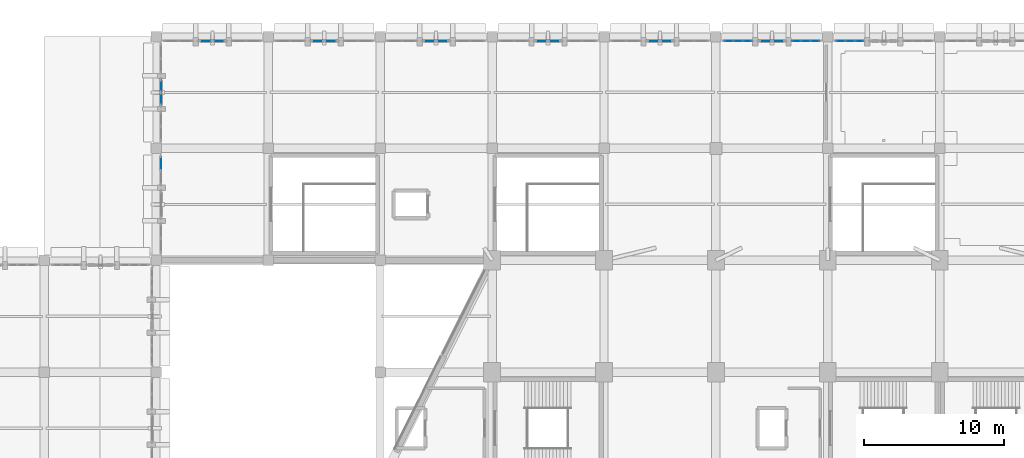
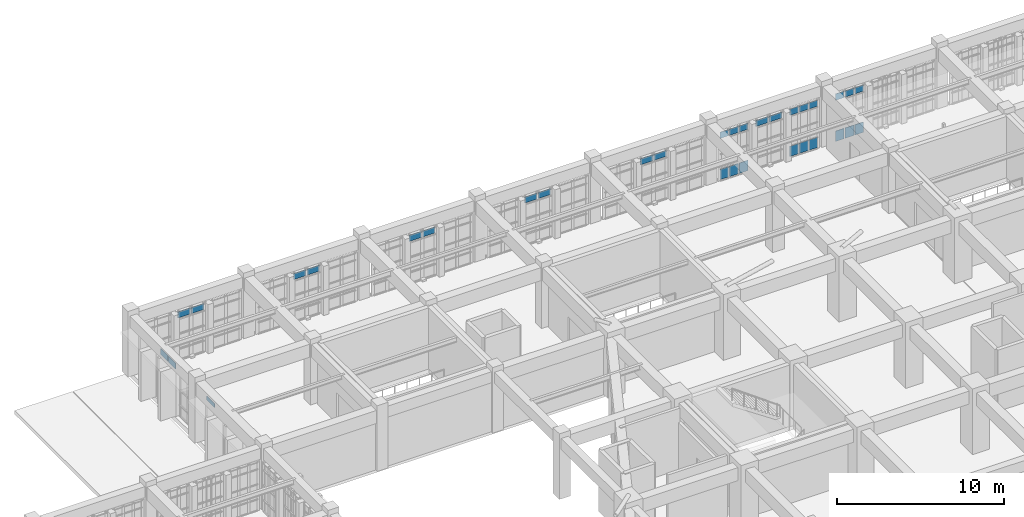
# One storey, part 126 of 155: 33 plates, 11 elements without a shape of their own.
"""IFC4 building model written with IfcOpenShell, lengths in metres."""

from ifc_helpers import new_model, si_unit, direction, frame, origin, origin_2d, place, context, subcontext, project, spatial, rectangle, extrude, material, layer, layer_set, type_object, element, aggregate, save


model = new_model("IFC4")

# Units and contexts
model_context = context("Model", 3, precision=1e-05, world=origin(), true_north=direction((0.0, 1.0)))
body_context = subcontext(model_context, "Body", "Model", "MODEL_VIEW")
ifc_project = project(units=[si_unit("LENGTHUNIT", "METRE"), si_unit("AREAUNIT", "SQUARE_METRE"), si_unit("VOLUMEUNIT", "CUBIC_METRE"), si_unit("PLANEANGLEUNIT", "RADIAN"), si_unit("MASSUNIT", "GRAM", prefix="KILO")], contexts=[model_context])

# Site, building, storey
site_placement = place(None, origin())
site = spatial("IfcSite", under=ifc_project, at=site_placement, CompositionType="ELEMENT")
building_placement = place(site_placement, origin())
building = spatial("IfcBuilding", under=site, at=building_placement, Name="Tazarka Park Arena", CompositionType="ELEMENT")
storey_placement = place(building_placement, frame((0.0, 0.0, 5.39990234375)))
storey = spatial("IfcBuildingStorey", under=building, at=storey_placement, Name="L01", CompositionType="ELEMENT", Elevation=5.39990234375)

# Curtain wall, plates
ifc_material_1 = material(Name="Aluminium and low-e glass", Category="aluminium")
ifc_layer_1 = layer(ifc_material_1, 0.179931640625, Name="Aluminium and low-e glass")
ifc_layer_set_1 = layer_set([ifc_layer_1], Name="Aluminium and low-e glass")
curtain_wall_type_1 = type_object("IfcCurtainWallType", Name="CW-09", PredefinedType="NOTDEFINED", material=ifc_layer_set_1)
curtain_wall_1_placement = place(storey_placement, origin())
curtain_wall_1 = element("IfcCurtainWall", 1, at=curtain_wall_1_placement, inside=storey, type_object=curtain_wall_type_1, Name="Curtain Wall CWA-L01-039", PredefinedType="NOTDEFINED")
ifc_material_2 = material(Name="Double low-e insulated glazing", Category="glass")
ifc_layer_2 = layer(ifc_material_2, 0.028076171875, Name="Double low-e insulated glazing")
ifc_layer_set_2 = layer_set([ifc_layer_2], Name="Double low-e insulated glazing")
plate_type_1 = type_object("IfcPlateType", Name="CWP-01", PredefinedType="CURTAIN_PANEL", material=ifc_layer_set_2)
plate_1_placement = place(storey_placement, frame((85.750244140625, 127.679931640625, 0.065185546875), z_axis=(0.0, 0.0, 1.0), x_axis=(1.0, 0.0, 0.0)))
plate_1 = element("IfcPlate", 2, at=plate_1_placement, type_object=plate_type_1, Name="CW-09 panel 1.1", PredefinedType="CURTAIN_PANEL", context=body_context, shape_type="SweptSolid", body=[
    extrude(rectangle(XDim=0.5869140625, YDim=0.028076171875, at=origin_2d()), origin(), (0.0, 0.0, 1.0), 0.75244140625),
])
plate_2_placement = place(storey_placement, frame((85.750244140625, 127.679931640625, 3.08251953125), z_axis=(0.0, 0.0, 1.0), x_axis=(1.0, 0.0, 0.0)))
plate_2 = element("IfcPlate", 3, at=plate_2_placement, type_object=plate_type_1, Name="CW-09 panel 1.4", PredefinedType="CURTAIN_PANEL", context=body_context, shape_type="SweptSolid", body=[
    extrude(rectangle(XDim=0.5869140625, YDim=0.028076171875, at=origin_2d()), origin(), (0.0, 0.0, 1.0), 0.452392578125),
])
plate_3_placement = place(storey_placement, frame((86.41845703125, 127.679931640625, 0.065185546875), z_axis=(0.0, 0.0, 1.0), x_axis=(1.0, 0.0, 0.0)))
plate_3 = element("IfcPlate", 4, at=plate_3_placement, type_object=plate_type_1, Name="CW-09 panel 2.1", PredefinedType="CURTAIN_PANEL", context=body_context, shape_type="SweptSolid", body=[
    extrude(rectangle(XDim=0.619384765625, YDim=0.028076171875, at=origin_2d()), origin(), (0.0, 0.0, 1.0), 0.75244140625),
])
plate_4_placement = place(storey_placement, frame((86.41845703125, 127.679931640625, 3.08251953125), z_axis=(0.0, 0.0, 1.0), x_axis=(1.0, 0.0, 0.0)))
plate_4 = element("IfcPlate", 5, at=plate_4_placement, type_object=plate_type_1, Name="CW-09 panel 2.4", PredefinedType="CURTAIN_PANEL", context=body_context, shape_type="SweptSolid", body=[
    extrude(rectangle(XDim=0.619384765625, YDim=0.028076171875, at=origin_2d()), origin(), (0.0, 0.0, 1.0), 0.452392578125),
])
plate_5_placement = place(storey_placement, frame((87.08642578125, 127.679931640625, 0.065185546875), z_axis=(0.0, 0.0, 1.0), x_axis=(1.0, 0.0, 0.0)))
plate_5 = element("IfcPlate", 6, at=plate_5_placement, type_object=plate_type_1, Name="CW-09 panel 3.1", PredefinedType="CURTAIN_PANEL", context=body_context, shape_type="SweptSolid", body=[
    extrude(rectangle(XDim=0.5869140625, YDim=0.028076171875, at=origin_2d()), origin(), (0.0, 0.0, 1.0), 0.75244140625),
])
plate_6_placement = place(storey_placement, frame((87.08642578125, 127.679931640625, 3.08251953125), z_axis=(0.0, 0.0, 1.0), x_axis=(1.0, 0.0, 0.0)))
plate_6 = element("IfcPlate", 7, at=plate_6_placement, type_object=plate_type_1, Name="CW-09 panel 3.4", PredefinedType="CURTAIN_PANEL", context=body_context, shape_type="SweptSolid", body=[
    extrude(rectangle(XDim=0.5869140625, YDim=0.028076171875, at=origin_2d()), origin(), (0.0, 0.0, 1.0), 0.452392578125),
])
aggregate(curtain_wall_1, [plate_1, plate_2, plate_3, plate_4, plate_5, plate_6])

# Curtain wall, plate
ifc_material_3 = material(Name="Aluminium and low-e glass", Category="aluminium")
ifc_layer_3 = layer(ifc_material_3, 0.179931640625, Name="Aluminium and low-e glass")
ifc_layer_set_3 = layer_set([ifc_layer_3], Name="Aluminium and low-e glass")
curtain_wall_type_2 = type_object("IfcCurtainWallType", Name="CW-30", PredefinedType="NOTDEFINED", material=ifc_layer_set_3)
curtain_wall_2_placement = place(storey_placement, origin())
curtain_wall_2 = element("IfcCurtainWall", 8, at=curtain_wall_2_placement, inside=storey, type_object=curtain_wall_type_2, Name="Curtain Wall CWA-L01-060", PredefinedType="NOTDEFINED")
plate_7_placement = place(storey_placement, frame((40.320068359375, 118.91552734375, 3.08251953125), z_axis=(0.0, 0.0, 1.0), x_axis=(0.0, 1.0, 0.0)))
plate_7 = element("IfcPlate", 9, at=plate_7_placement, type_object=plate_type_1, Name="CW-30 panel 2.4", PredefinedType="CURTAIN_PANEL", context=body_context, shape_type="SweptSolid", body=[
    extrude(rectangle(XDim=0.92919921875, YDim=0.028076171875, at=origin_2d()), origin(), (0.0, 0.0, 1.0), 0.302490234375),
])
aggregate(curtain_wall_2, [plate_7])

# Curtain wall, plates
ifc_material_4 = material(Name="Aluminium and low-e glass", Category="aluminium")
ifc_layer_4 = layer(ifc_material_4, 0.179931640625, Name="Aluminium and low-e glass")
ifc_layer_set_4 = layer_set([ifc_layer_4], Name="Aluminium and low-e glass")
curtain_wall_type_3 = type_object("IfcCurtainWallType", Name="CW-04", PredefinedType="NOTDEFINED", material=ifc_layer_set_4)
curtain_wall_3_placement = place(storey_placement, origin())
curtain_wall_3 = element("IfcCurtainWall", 10, at=curtain_wall_3_placement, inside=storey, type_object=curtain_wall_type_3, Name="Curtain Wall CWA-L01-034", PredefinedType="NOTDEFINED")
ifc_material_5 = material(Name="Triple acoustic solar glazing", Category="glass")
ifc_layer_5 = layer(ifc_material_5, 0.031982421875, Name="Triple acoustic solar glazing")
ifc_layer_set_5 = layer_set([ifc_layer_5], Name="Triple acoustic solar glazing")
plate_type_2 = type_object("IfcPlateType", Name="CWP-02", PredefinedType="CURTAIN_PANEL", material=ifc_layer_set_5)
plate_8_placement = place(storey_placement, frame((88.91357421875, 127.679931640625, 0.065185546875), z_axis=(0.0, 0.0, 1.0), x_axis=(1.0, 0.0, 0.0)))
plate_8 = element("IfcPlate", 11, at=plate_8_placement, type_object=plate_type_2, Name="CW-04 panel 1.1", PredefinedType="CURTAIN_PANEL", context=body_context, shape_type="SweptSolid", body=[
    extrude(rectangle(XDim=0.5869140625, YDim=0.031982421875, at=origin_2d()), origin(), (0.0, 0.0, 1.0), 0.75244140625),
])
plate_9_placement = place(storey_placement, frame((88.91357421875, 127.679931640625, 3.08251953125), z_axis=(0.0, 0.0, 1.0), x_axis=(1.0, 0.0, 0.0)))
plate_9 = element("IfcPlate", 12, at=plate_9_placement, type_object=plate_type_2, Name="CW-04 panel 1.4", PredefinedType="CURTAIN_PANEL", context=body_context, shape_type="SweptSolid", body=[
    extrude(rectangle(XDim=0.5869140625, YDim=0.031982421875, at=origin_2d()), origin(), (0.0, 0.0, 1.0), 0.452392578125),
])
plate_10_placement = place(storey_placement, frame((89.58154296875, 127.679931640625, 0.065185546875), z_axis=(0.0, 0.0, 1.0), x_axis=(1.0, 0.0, 0.0)))
plate_10 = element("IfcPlate", 13, at=plate_10_placement, type_object=plate_type_2, Name="CW-04 panel 2.1", PredefinedType="CURTAIN_PANEL", context=body_context, shape_type="SweptSolid", body=[
    extrude(rectangle(XDim=0.619384765625, YDim=0.031982421875, at=origin_2d()), origin(), (0.0, 0.0, 1.0), 0.75244140625),
])
plate_11_placement = place(storey_placement, frame((89.58154296875, 127.679931640625, 3.08251953125), z_axis=(0.0, 0.0, 1.0), x_axis=(1.0, 0.0, 0.0)))
plate_11 = element("IfcPlate", 14, at=plate_11_placement, type_object=plate_type_2, Name="CW-04 panel 2.4", PredefinedType="CURTAIN_PANEL", context=body_context, shape_type="SweptSolid", body=[
    extrude(rectangle(XDim=0.619384765625, YDim=0.031982421875, at=origin_2d()), origin(), (0.0, 0.0, 1.0), 0.452392578125),
])
plate_12_placement = place(storey_placement, frame((90.249755859375, 127.679931640625, 0.065185546875), z_axis=(0.0, 0.0, 1.0), x_axis=(1.0, 0.0, 0.0)))
plate_12 = element("IfcPlate", 15, at=plate_12_placement, type_object=plate_type_2, Name="CW-04 panel 3.1", PredefinedType="CURTAIN_PANEL", context=body_context, shape_type="SweptSolid", body=[
    extrude(rectangle(XDim=0.5869140625, YDim=0.031982421875, at=origin_2d()), origin(), (0.0, 0.0, 1.0), 0.75244140625),
])
plate_13_placement = place(storey_placement, frame((90.249755859375, 127.679931640625, 3.08251953125), z_axis=(0.0, 0.0, 1.0), x_axis=(1.0, 0.0, 0.0)))
plate_13 = element("IfcPlate", 16, at=plate_13_placement, type_object=plate_type_2, Name="CW-04 panel 3.4", PredefinedType="CURTAIN_PANEL", context=body_context, shape_type="SweptSolid", body=[
    extrude(rectangle(XDim=0.5869140625, YDim=0.031982421875, at=origin_2d()), origin(), (0.0, 0.0, 1.0), 0.452392578125),
])
aggregate(curtain_wall_3, [plate_8, plate_9, plate_10, plate_11, plate_12, plate_13])

ifc_material_6 = material(Name="Aluminium and low-e glass", Category="aluminium")
ifc_layer_6 = layer(ifc_material_6, 0.179931640625, Name="Aluminium and low-e glass")
ifc_layer_set_6 = layer_set([ifc_layer_6], Name="Aluminium and low-e glass")
curtain_wall_type_4 = type_object("IfcCurtainWallType", Name="CW-07", PredefinedType="NOTDEFINED", material=ifc_layer_set_6)
curtain_wall_4_placement = place(storey_placement, origin())
curtain_wall_4 = element("IfcCurtainWall", 17, at=curtain_wall_4_placement, inside=storey, type_object=curtain_wall_type_4, Name="Curtain Wall CWA-L01-037", PredefinedType="NOTDEFINED")
plate_14_placement = place(storey_placement, frame((80.91357421875, 127.679931640625, 0.065185546875), z_axis=(0.0, 0.0, 1.0), x_axis=(1.0, 0.0, 0.0)))
plate_14 = element("IfcPlate", 18, at=plate_14_placement, type_object=plate_type_2, Name="CW-07 panel 1.1", PredefinedType="CURTAIN_PANEL", context=body_context, shape_type="SweptSolid", body=[
    extrude(rectangle(XDim=0.5869140625, YDim=0.031982421875, at=origin_2d()), origin(), (0.0, 0.0, 1.0), 0.75244140625),
])
plate_15_placement = place(storey_placement, frame((80.91357421875, 127.679931640625, 3.08251953125), z_axis=(0.0, 0.0, 1.0), x_axis=(1.0, 0.0, 0.0)))
plate_15 = element("IfcPlate", 19, at=plate_15_placement, type_object=plate_type_2, Name="CW-07 panel 1.4", PredefinedType="CURTAIN_PANEL", context=body_context, shape_type="SweptSolid", body=[
    extrude(rectangle(XDim=0.5869140625, YDim=0.031982421875, at=origin_2d()), origin(), (0.0, 0.0, 1.0), 0.452392578125),
])
plate_16_placement = place(storey_placement, frame((81.58154296875, 127.679931640625, 0.065185546875), z_axis=(0.0, 0.0, 1.0), x_axis=(1.0, 0.0, 0.0)))
plate_16 = element("IfcPlate", 20, at=plate_16_placement, type_object=plate_type_2, Name="CW-07 panel 2.1", PredefinedType="CURTAIN_PANEL", context=body_context, shape_type="SweptSolid", body=[
    extrude(rectangle(XDim=0.619384765625, YDim=0.031982421875, at=origin_2d()), origin(), (0.0, 0.0, 1.0), 0.75244140625),
])
plate_17_placement = place(storey_placement, frame((81.58154296875, 127.679931640625, 3.08251953125), z_axis=(0.0, 0.0, 1.0), x_axis=(1.0, 0.0, 0.0)))
plate_17 = element("IfcPlate", 21, at=plate_17_placement, type_object=plate_type_2, Name="CW-07 panel 2.4", PredefinedType="CURTAIN_PANEL", context=body_context, shape_type="SweptSolid", body=[
    extrude(rectangle(XDim=0.619384765625, YDim=0.031982421875, at=origin_2d()), origin(), (0.0, 0.0, 1.0), 0.452392578125),
])
plate_18_placement = place(storey_placement, frame((82.249755859375, 127.679931640625, 0.065185546875), z_axis=(0.0, 0.0, 1.0), x_axis=(1.0, 0.0, 0.0)))
plate_18 = element("IfcPlate", 22, at=plate_18_placement, type_object=plate_type_2, Name="CW-07 panel 3.1", PredefinedType="CURTAIN_PANEL", context=body_context, shape_type="SweptSolid", body=[
    extrude(rectangle(XDim=0.5869140625, YDim=0.031982421875, at=origin_2d()), origin(), (0.0, 0.0, 1.0), 0.75244140625),
])
plate_19_placement = place(storey_placement, frame((82.249755859375, 127.679931640625, 3.08251953125), z_axis=(0.0, 0.0, 1.0), x_axis=(1.0, 0.0, 0.0)))
plate_19 = element("IfcPlate", 23, at=plate_19_placement, type_object=plate_type_2, Name="CW-07 panel 3.4", PredefinedType="CURTAIN_PANEL", context=body_context, shape_type="SweptSolid", body=[
    extrude(rectangle(XDim=0.5869140625, YDim=0.031982421875, at=origin_2d()), origin(), (0.0, 0.0, 1.0), 0.452392578125),
])
aggregate(curtain_wall_4, [plate_14, plate_15, plate_16, plate_17, plate_18, plate_19])

ifc_material_7 = material(Name="Aluminium and low-e glass", Category="aluminium")
ifc_layer_7 = layer(ifc_material_7, 0.179931640625, Name="Aluminium and low-e glass")
ifc_layer_set_7 = layer_set([ifc_layer_7], Name="Aluminium and low-e glass")
curtain_wall_type_5 = type_object("IfcCurtainWallType", Name="CW-08", PredefinedType="NOTDEFINED", material=ifc_layer_set_7)
curtain_wall_5_placement = place(storey_placement, origin())
curtain_wall_5 = element("IfcCurtainWall", 24, at=curtain_wall_5_placement, inside=storey, type_object=curtain_wall_type_5, Name="Curtain Wall CWA-L01-038", PredefinedType="NOTDEFINED")
ifc_material_8 = material(Name="Insulated aluminium spandrel panel", Category="aluminium")
ifc_layer_8 = layer(ifc_material_8, 0.035888671875, Name="Insulated aluminium spandrel panel")
ifc_layer_set_8 = layer_set([ifc_layer_8], Name="Insulated aluminium spandrel panel")
plate_type_3 = type_object("IfcPlateType", Name="CWP-03", PredefinedType="CURTAIN_PANEL", material=ifc_layer_set_8)
plate_20_placement = place(storey_placement, frame((83.532958984375, 127.679931640625, 3.087646484375), z_axis=(0.0, 0.0, 1.0), x_axis=(1.0, 0.0, 0.0)))
plate_20 = element("IfcPlate", 25, at=plate_20_placement, type_object=plate_type_3, Name="CW-08 panel 1.4", PredefinedType="CURTAIN_PANEL", context=body_context, shape_type="SweptSolid", body=[
    extrude(rectangle(XDim=0.859130859375, YDim=0.035888671875, at=origin_2d()), origin(), (0.0, 0.0, 1.0), 0.4375),
])
plate_21_placement = place(storey_placement, frame((84.467041015625, 127.679931640625, 3.087646484375), z_axis=(0.0, 0.0, 1.0), x_axis=(1.0, 0.0, 0.0)))
plate_21 = element("IfcPlate", 26, at=plate_21_placement, type_object=plate_type_3, Name="CW-08 panel 2.4", PredefinedType="CURTAIN_PANEL", context=body_context, shape_type="SweptSolid", body=[
    extrude(rectangle(XDim=0.859130859375, YDim=0.035888671875, at=origin_2d()), origin(), (0.0, 0.0, 1.0), 0.4375),
])
aggregate(curtain_wall_5, [plate_20, plate_21])

ifc_material_9 = material(Name="Aluminium and low-e glass", Category="aluminium")
ifc_layer_9 = layer(ifc_material_9, 0.179931640625, Name="Aluminium and low-e glass")
ifc_layer_set_9 = layer_set([ifc_layer_9], Name="Aluminium and low-e glass")
curtain_wall_type_6 = type_object("IfcCurtainWallType", Name="CW-11", PredefinedType="NOTDEFINED", material=ifc_layer_set_9)
curtain_wall_6_placement = place(storey_placement, origin())
curtain_wall_6 = element("IfcCurtainWall", 27, at=curtain_wall_6_placement, inside=storey, type_object=curtain_wall_type_6, Name="Curtain Wall CWA-L01-041", PredefinedType="NOTDEFINED")
plate_22_placement = place(storey_placement, frame((75.532958984375, 127.679931640625, 3.087646484375), z_axis=(0.0, 0.0, 1.0), x_axis=(1.0, 0.0, 0.0)))
plate_22 = element("IfcPlate", 28, at=plate_22_placement, type_object=plate_type_3, Name="CW-11 panel 1.4", PredefinedType="CURTAIN_PANEL", context=body_context, shape_type="SweptSolid", body=[
    extrude(rectangle(XDim=0.859130859375, YDim=0.035888671875, at=origin_2d()), origin(), (0.0, 0.0, 1.0), 0.4375),
])
plate_23_placement = place(storey_placement, frame((76.467041015625, 127.679931640625, 3.087646484375), z_axis=(0.0, 0.0, 1.0), x_axis=(1.0, 0.0, 0.0)))
plate_23 = element("IfcPlate", 29, at=plate_23_placement, type_object=plate_type_3, Name="CW-11 panel 2.4", PredefinedType="CURTAIN_PANEL", context=body_context, shape_type="SweptSolid", body=[
    extrude(rectangle(XDim=0.859130859375, YDim=0.035888671875, at=origin_2d()), origin(), (0.0, 0.0, 1.0), 0.4375),
])
aggregate(curtain_wall_6, [plate_22, plate_23])

ifc_material_10 = material(Name="Aluminium and low-e glass", Category="aluminium")
ifc_layer_10 = layer(ifc_material_10, 0.179931640625, Name="Aluminium and low-e glass")
ifc_layer_set_10 = layer_set([ifc_layer_10], Name="Aluminium and low-e glass")
curtain_wall_type_7 = type_object("IfcCurtainWallType", Name="CW-14", PredefinedType="NOTDEFINED", material=ifc_layer_set_10)
curtain_wall_7_placement = place(storey_placement, origin())
curtain_wall_7 = element("IfcCurtainWall", 30, at=curtain_wall_7_placement, inside=storey, type_object=curtain_wall_type_7, Name="Curtain Wall CWA-L01-044", PredefinedType="NOTDEFINED")
plate_24_placement = place(storey_placement, frame((67.532958984375, 127.679931640625, 3.087646484375), z_axis=(0.0, 0.0, 1.0), x_axis=(1.0, 0.0, 0.0)))
plate_24 = element("IfcPlate", 31, at=plate_24_placement, type_object=plate_type_3, Name="CW-14 panel 1.4", PredefinedType="CURTAIN_PANEL", context=body_context, shape_type="SweptSolid", body=[
    extrude(rectangle(XDim=0.859130859375, YDim=0.035888671875, at=origin_2d()), origin(), (0.0, 0.0, 1.0), 0.4375),
])
plate_25_placement = place(storey_placement, frame((68.467041015625, 127.679931640625, 3.087646484375), z_axis=(0.0, 0.0, 1.0), x_axis=(1.0, 0.0, 0.0)))
plate_25 = element("IfcPlate", 32, at=plate_25_placement, type_object=plate_type_3, Name="CW-14 panel 2.4", PredefinedType="CURTAIN_PANEL", context=body_context, shape_type="SweptSolid", body=[
    extrude(rectangle(XDim=0.859130859375, YDim=0.035888671875, at=origin_2d()), origin(), (0.0, 0.0, 1.0), 0.4375),
])
aggregate(curtain_wall_7, [plate_24, plate_25])

ifc_material_11 = material(Name="Aluminium and low-e glass", Category="aluminium")
ifc_layer_11 = layer(ifc_material_11, 0.179931640625, Name="Aluminium and low-e glass")
ifc_layer_set_11 = layer_set([ifc_layer_11], Name="Aluminium and low-e glass")
curtain_wall_type_8 = type_object("IfcCurtainWallType", Name="CW-17", PredefinedType="NOTDEFINED", material=ifc_layer_set_11)
curtain_wall_8_placement = place(storey_placement, origin())
curtain_wall_8 = element("IfcCurtainWall", 33, at=curtain_wall_8_placement, inside=storey, type_object=curtain_wall_type_8, Name="Curtain Wall CWA-L01-047", PredefinedType="NOTDEFINED")
plate_26_placement = place(storey_placement, frame((59.532958984375, 127.679931640625, 3.087646484375), z_axis=(0.0, 0.0, 1.0), x_axis=(1.0, 0.0, 0.0)))
plate_26 = element("IfcPlate", 34, at=plate_26_placement, type_object=plate_type_3, Name="CW-17 panel 1.4", PredefinedType="CURTAIN_PANEL", context=body_context, shape_type="SweptSolid", body=[
    extrude(rectangle(XDim=0.859130859375, YDim=0.035888671875, at=origin_2d()), origin(), (0.0, 0.0, 1.0), 0.4375),
])
plate_27_placement = place(storey_placement, frame((60.467041015625, 127.679931640625, 3.087646484375), z_axis=(0.0, 0.0, 1.0), x_axis=(1.0, 0.0, 0.0)))
plate_27 = element("IfcPlate", 35, at=plate_27_placement, type_object=plate_type_3, Name="CW-17 panel 2.4", PredefinedType="CURTAIN_PANEL", context=body_context, shape_type="SweptSolid", body=[
    extrude(rectangle(XDim=0.859130859375, YDim=0.035888671875, at=origin_2d()), origin(), (0.0, 0.0, 1.0), 0.4375),
])
aggregate(curtain_wall_8, [plate_26, plate_27])

ifc_material_12 = material(Name="Aluminium and low-e glass", Category="aluminium")
ifc_layer_12 = layer(ifc_material_12, 0.179931640625, Name="Aluminium and low-e glass")
ifc_layer_set_12 = layer_set([ifc_layer_12], Name="Aluminium and low-e glass")
curtain_wall_type_9 = type_object("IfcCurtainWallType", Name="CW-20", PredefinedType="NOTDEFINED", material=ifc_layer_set_12)
curtain_wall_9_placement = place(storey_placement, origin())
curtain_wall_9 = element("IfcCurtainWall", 36, at=curtain_wall_9_placement, inside=storey, type_object=curtain_wall_type_9, Name="Curtain Wall CWA-L01-050", PredefinedType="NOTDEFINED")
plate_28_placement = place(storey_placement, frame((51.532958984375, 127.679931640625, 3.087646484375), z_axis=(0.0, 0.0, 1.0), x_axis=(1.0, 0.0, 0.0)))
plate_28 = element("IfcPlate", 37, at=plate_28_placement, type_object=plate_type_3, Name="CW-20 panel 1.4", PredefinedType="CURTAIN_PANEL", context=body_context, shape_type="SweptSolid", body=[
    extrude(rectangle(XDim=0.859130859375, YDim=0.035888671875, at=origin_2d()), origin(), (0.0, 0.0, 1.0), 0.4375),
])
plate_29_placement = place(storey_placement, frame((52.467041015625, 127.679931640625, 3.087646484375), z_axis=(0.0, 0.0, 1.0), x_axis=(1.0, 0.0, 0.0)))
plate_29 = element("IfcPlate", 38, at=plate_29_placement, type_object=plate_type_3, Name="CW-20 panel 2.4", PredefinedType="CURTAIN_PANEL", context=body_context, shape_type="SweptSolid", body=[
    extrude(rectangle(XDim=0.859130859375, YDim=0.035888671875, at=origin_2d()), origin(), (0.0, 0.0, 1.0), 0.4375),
])
aggregate(curtain_wall_9, [plate_28, plate_29])

ifc_material_13 = material(Name="Aluminium and low-e glass", Category="aluminium")
ifc_layer_13 = layer(ifc_material_13, 0.179931640625, Name="Aluminium and low-e glass")
ifc_layer_set_13 = layer_set([ifc_layer_13], Name="Aluminium and low-e glass")
curtain_wall_type_10 = type_object("IfcCurtainWallType", Name="CW-23", PredefinedType="NOTDEFINED", material=ifc_layer_set_13)
curtain_wall_10_placement = place(storey_placement, origin())
curtain_wall_10 = element("IfcCurtainWall", 39, at=curtain_wall_10_placement, inside=storey, type_object=curtain_wall_type_10, Name="Curtain Wall CWA-L01-053", PredefinedType="NOTDEFINED")
plate_30_placement = place(storey_placement, frame((43.532958984375, 127.679931640625, 3.087646484375), z_axis=(0.0, 0.0, 1.0), x_axis=(1.0, 0.0, 0.0)))
plate_30 = element("IfcPlate", 40, at=plate_30_placement, type_object=plate_type_3, Name="CW-23 panel 1.4", PredefinedType="CURTAIN_PANEL", context=body_context, shape_type="SweptSolid", body=[
    extrude(rectangle(XDim=0.859130859375, YDim=0.035888671875, at=origin_2d()), origin(), (0.0, 0.0, 1.0), 0.4375),
])
plate_31_placement = place(storey_placement, frame((44.467041015625, 127.679931640625, 3.087646484375), z_axis=(0.0, 0.0, 1.0), x_axis=(1.0, 0.0, 0.0)))
plate_31 = element("IfcPlate", 41, at=plate_31_placement, type_object=plate_type_3, Name="CW-23 panel 2.4", PredefinedType="CURTAIN_PANEL", context=body_context, shape_type="SweptSolid", body=[
    extrude(rectangle(XDim=0.859130859375, YDim=0.035888671875, at=origin_2d()), origin(), (0.0, 0.0, 1.0), 0.4375),
])
aggregate(curtain_wall_10, [plate_30, plate_31])

ifc_material_14 = material(Name="Aluminium and low-e glass", Category="aluminium")
ifc_layer_14 = layer(ifc_material_14, 0.179931640625, Name="Aluminium and low-e glass")
ifc_layer_set_14 = layer_set([ifc_layer_14], Name="Aluminium and low-e glass")
curtain_wall_type_11 = type_object("IfcCurtainWallType", Name="CW-26", PredefinedType="NOTDEFINED", material=ifc_layer_set_14)
curtain_wall_11_placement = place(storey_placement, origin())
curtain_wall_11 = element("IfcCurtainWall", 42, at=curtain_wall_11_placement, inside=storey, type_object=curtain_wall_type_11, Name="Curtain Wall CWA-L01-056", PredefinedType="NOTDEFINED")
plate_32_placement = place(storey_placement, frame((40.320068359375, 123.532958984375, 3.087646484375), z_axis=(0.0, 0.0, 1.0), x_axis=(0.0, 1.0, 0.0)))
plate_32 = element("IfcPlate", 43, at=plate_32_placement, type_object=plate_type_3, Name="CW-26 panel 1.4", PredefinedType="CURTAIN_PANEL", context=body_context, shape_type="SweptSolid", body=[
    extrude(rectangle(XDim=0.859130859375, YDim=0.035888671875, at=origin_2d()), origin(), (0.0, 0.0, 1.0), 0.4375),
])
plate_33_placement = place(storey_placement, frame((40.320068359375, 124.467041015625, 3.087646484375), z_axis=(0.0, 0.0, 1.0), x_axis=(0.0, 1.0, 0.0)))
plate_33 = element("IfcPlate", 44, at=plate_33_placement, type_object=plate_type_3, Name="CW-26 panel 2.4", PredefinedType="CURTAIN_PANEL", context=body_context, shape_type="SweptSolid", body=[
    extrude(rectangle(XDim=0.859130859375, YDim=0.035888671875, at=origin_2d()), origin(), (0.0, 0.0, 1.0), 0.4375),
])
aggregate(curtain_wall_11, [plate_32, plate_33])

save(model, "model.ifc")
